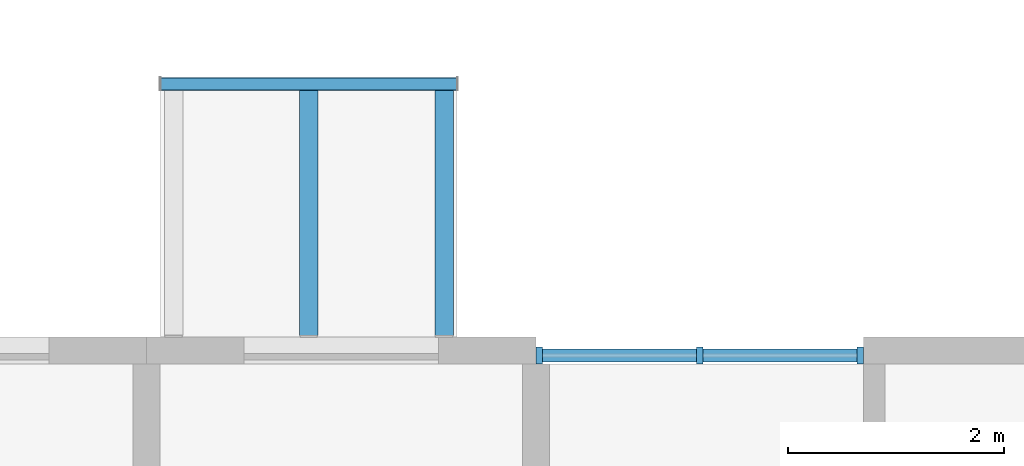
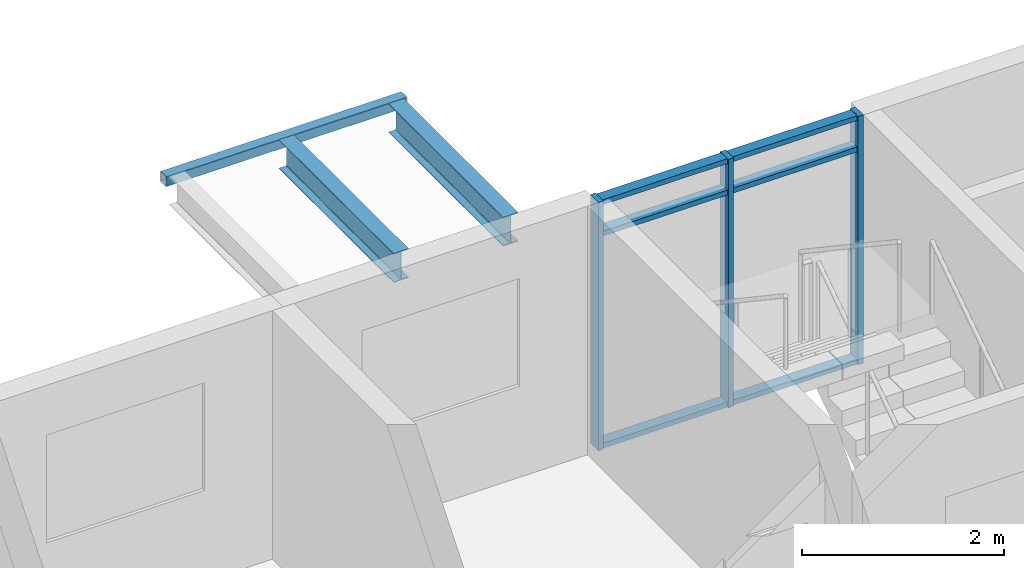
# One storey, part 16 of 100: 9 members, 3 beams, 1 element without a shape of its own.
"""IFC4 building model written with IfcOpenShell, lengths in metres."""

from ifc_helpers import new_model, si_unit, direction, frame, origin, origin_2d, place, context, subcontext, project, spatial, rectangle, hollow_rectangle, i_section, extrude, material, material_profile, profile_set, type_object, element, aggregate, save


model = new_model("IFC4")

# Units and contexts
model_context = context("Model", 3, precision=1e-05, world=origin(), true_north=direction((0.0, 1.0)))
body_context = subcontext(model_context, "Body", "Model", "MODEL_VIEW")
ifc_project = project(units=[si_unit("LENGTHUNIT", "METRE"), si_unit("AREAUNIT", "SQUARE_METRE"), si_unit("VOLUMEUNIT", "CUBIC_METRE"), si_unit("PLANEANGLEUNIT", "RADIAN"), si_unit("MASSUNIT", "GRAM", prefix="KILO")], contexts=[model_context])

# Site, building, storey
site_placement = place(None, origin())
site = spatial("IfcSite", under=ifc_project, at=site_placement, CompositionType="ELEMENT")
building_placement = place(site_placement, origin())
building = spatial("IfcBuilding", under=site, at=building_placement, Name="Ridgestep Commons", CompositionType="ELEMENT")
storey_placement = place(building_placement, frame((0.0, 0.0, 9.0)))
storey = spatial("IfcBuildingStorey", under=building, at=storey_placement, Name="L03", CompositionType="ELEMENT", Elevation=9.0)

# Curtain wall, members
ifc_material_1 = material(Name="Aluminium 6063-T6 and glass", Category="aluminium")
curtain_wall_type = type_object("IfcCurtainWallType", Name="Curtain wall stair strip", PredefinedType="NOTDEFINED", material=ifc_material_1)
curtain_wall_placement = place(storey_placement, origin())
curtain_wall = element("IfcCurtainWall", 1, at=curtain_wall_placement, inside=storey, type_object=curtain_wall_type, Name="Curtain wall D3C level 03", PredefinedType="NOTDEFINED")
ifc_material_2 = material(Name="Aluminium 6063-T6", Category="aluminium")
ifc_material_profile_1 = material_profile(ifc_material_2, rectangle(XDim=0.159912109375, YDim=0.06005859375, at=origin_2d()), Name="Mullion 60 x 160")
ifc_profile_set_1 = profile_set([ifc_material_profile_1], Name="Aluminium 6063-T6")
member_type_1 = type_object("IfcMemberType", Name="Mullion 60 x 160", PredefinedType="MULLION", material=ifc_profile_set_1)
member_1_placement = place(storey_placement, frame((191.22998046875, 22.830078125, 0.0), z_axis=(0.0, 0.0, 1.0), x_axis=(0.0, 1.0, 0.0)))
member_1 = element("IfcMember", 2, at=member_1_placement, type_object=member_type_1, Name="CW1 mullion 1", PredefinedType="MULLION", context=body_context, shape_type="SweptSolid", body=[
    extrude(rectangle(XDim=0.159912109375, YDim=0.06005859375, at=origin_2d()), origin(), (0.0, 0.0, 1.0), 3.0),
])
member_2_placement = place(storey_placement, frame((192.71240234375, 22.830078125, 0.0), z_axis=(0.0, 0.0, 1.0), x_axis=(0.0, 1.0, 0.0)))
member_2 = element("IfcMember", 3, at=member_2_placement, type_object=member_type_1, Name="CW1 mullion 2", PredefinedType="MULLION", context=body_context, shape_type="SweptSolid", body=[
    extrude(rectangle(XDim=0.159912109375, YDim=0.06005859375, at=origin_2d()), origin(), (0.0, 0.0, 1.0), 3.0),
])
member_3_placement = place(storey_placement, frame((194.195068359375, 22.830078125, 0.0), z_axis=(0.0, 0.0, 1.0), x_axis=(0.0, 1.0, 0.0)))
member_3 = element("IfcMember", 4, at=member_3_placement, type_object=member_type_1, Name="CW1 mullion 3", PredefinedType="MULLION", context=body_context, shape_type="SweptSolid", body=[
    extrude(rectangle(XDim=0.159912109375, YDim=0.06005859375, at=origin_2d()), origin(), (0.0, 0.0, 1.0), 3.0),
])
ifc_material_3 = material(Name="Aluminium 6063-T6", Category="aluminium")
ifc_material_profile_2 = material_profile(ifc_material_3, rectangle(XDim=0.1201171875, YDim=0.06005859375, at=origin_2d()), Name="Transom 60 x 120")
ifc_profile_set_2 = profile_set([ifc_material_profile_2], Name="Aluminium 6063-T6")
member_type_2 = type_object("IfcMemberType", Name="Transom 60 x 120", PredefinedType="USERDEFINED", material=ifc_profile_set_2)
member_4_placement = place(storey_placement, frame((191.260009765625, 22.830078125, 0.030029296875), z_axis=(1.0, 0.0, 0.0), x_axis=(0.0, 1.0, 0.0)))
member_4 = element("IfcMember", 5, at=member_4_placement, type_object=member_type_2, Name="CW1 transom 1.1", ObjectType="TRANSOM", PredefinedType="USERDEFINED", context=body_context, shape_type="SweptSolid", body=[
    extrude(rectangle(XDim=0.1201171875, YDim=0.06005859375, at=origin_2d()), origin(), (0.0, 0.0, 1.0), 1.422607421875),
])
member_5_placement = place(storey_placement, frame((191.260009765625, 22.830078125, 2.590087890625), z_axis=(1.0, 0.0, 0.0), x_axis=(0.0, 1.0, 0.0)))
member_5 = element("IfcMember", 6, at=member_5_placement, type_object=member_type_2, Name="CW1 transom 1.2", ObjectType="TRANSOM", PredefinedType="USERDEFINED", context=body_context, shape_type="SweptSolid", body=[
    extrude(rectangle(XDim=0.1201171875, YDim=0.06005859375, at=origin_2d()), origin(), (0.0, 0.0, 1.0), 1.422607421875),
])
member_6_placement = place(storey_placement, frame((191.260009765625, 22.830078125, 2.969970703125), z_axis=(1.0, 0.0, 0.0), x_axis=(0.0, 1.0, 0.0)))
member_6 = element("IfcMember", 7, at=member_6_placement, type_object=member_type_2, Name="CW1 transom 1.3", ObjectType="TRANSOM", PredefinedType="USERDEFINED", context=body_context, shape_type="SweptSolid", body=[
    extrude(rectangle(XDim=0.1201171875, YDim=0.06005859375, at=origin_2d()), origin(), (0.0, 0.0, 1.0), 1.422607421875),
])
member_7_placement = place(storey_placement, frame((192.742431640625, 22.830078125, 0.030029296875), z_axis=(1.0, 0.0, 0.0), x_axis=(0.0, 1.0, 0.0)))
member_7 = element("IfcMember", 8, at=member_7_placement, type_object=member_type_2, Name="CW1 transom 2.1", ObjectType="TRANSOM", PredefinedType="USERDEFINED", context=body_context, shape_type="SweptSolid", body=[
    extrude(rectangle(XDim=0.1201171875, YDim=0.06005859375, at=origin_2d()), origin(), (0.0, 0.0, 1.0), 1.422607421875),
])
member_8_placement = place(storey_placement, frame((192.742431640625, 22.830078125, 2.590087890625), z_axis=(1.0, 0.0, 0.0), x_axis=(0.0, 1.0, 0.0)))
member_8 = element("IfcMember", 9, at=member_8_placement, type_object=member_type_2, Name="CW1 transom 2.2", ObjectType="TRANSOM", PredefinedType="USERDEFINED", context=body_context, shape_type="SweptSolid", body=[
    extrude(rectangle(XDim=0.1201171875, YDim=0.06005859375, at=origin_2d()), origin(), (0.0, 0.0, 1.0), 1.422607421875),
])
member_9_placement = place(storey_placement, frame((192.742431640625, 22.830078125, 2.969970703125), z_axis=(1.0, 0.0, 0.0), x_axis=(0.0, 1.0, 0.0)))
member_9 = element("IfcMember", 10, at=member_9_placement, type_object=member_type_2, Name="CW1 transom 2.3", ObjectType="TRANSOM", PredefinedType="USERDEFINED", context=body_context, shape_type="SweptSolid", body=[
    extrude(rectangle(XDim=0.1201171875, YDim=0.06005859375, at=origin_2d()), origin(), (0.0, 0.0, 1.0), 1.422607421875),
])
aggregate(curtain_wall, [member_1, member_2, member_3, member_4, member_5, member_6, member_7, member_8, member_9])

# Beams
ifc_material_4 = material(Name="Weathering steel S355J2W", Category="steel")
ifc_material_profile_3 = material_profile(ifc_material_4, i_section(OverallWidth=0.171142578125, OverallDepth=0.351318359375, WebThickness=0.007080078125, FlangeThickness=0.009765625, FilletRadius=0.01025390625, at=origin_2d()), Name="UB 356x171x45")
ifc_profile_set_3 = profile_set([ifc_material_profile_3], Name="Weathering steel S355J2W")
beam_type_1 = type_object("IfcBeamType", Name="Tray arm UB 356x171x45", PredefinedType="BEAM", material=ifc_profile_set_3)
for number, where, z_axis, x_axis, name in (
    (11, (189.10009765625, 23.014892578125, 2.814208984375), (0.0, 1.0, 0.0), (-1.0, 0.0, 0.0), "Tray arm D3T3-04.2"),
    (12, (190.35009765625, 23.014892578125, 2.814208984375), (0.0, 1.0, 0.0), (-1.0, 0.0, 0.0), "Tray arm D3T3-04.3"),
):
    element("IfcBeam", number, at=place(storey_placement, frame(where, z_axis=z_axis, x_axis=x_axis)), inside=storey, type_object=beam_type_1, Name=name, PredefinedType="BEAM", context=body_context, shape_type="SweptSolid", body=[
        extrude(i_section(OverallWidth=0.171142578125, OverallDepth=0.351318359375, WebThickness=0.007080078125, FlangeThickness=0.009765625, FilletRadius=0.01025390625, at=origin_2d()), origin(), (0.0, 0.0, 1.0), 2.26513671875),
    ])
ifc_material_5 = material(Name="Weathering steel S355J2W", Category="steel")
ifc_material_profile_4 = material_profile(ifc_material_5, hollow_rectangle(XDim=0.1201171875, YDim=0.1201171875, WallThickness=0.00634765625, InnerFilletRadius=0.00634765625, OuterFilletRadius=0.009521484375, at=origin_2d()), Name="SHS 120x120x6.3")
ifc_profile_set_4 = profile_set([ifc_material_profile_4], Name="Weathering steel S355J2W")
beam_type_2 = type_object("IfcBeamType", Name="Tray edge member SHS 120x120x6.3", PredefinedType="BEAM", material=ifc_profile_set_4)
beam_placement = place(storey_placement, frame((187.72998046875, 25.340087890625, 2.929931640625), z_axis=(1.0, 0.0, 0.0), x_axis=(0.0, 0.0, 1.0)))
element("IfcBeam", 13, at=beam_placement, inside=storey, type_object=beam_type_2, Name="Tray edge member D3T3-04", PredefinedType="BEAM", context=body_context, shape_type="SweptSolid", body=[
    extrude(hollow_rectangle(XDim=0.1201171875, YDim=0.1201171875, WallThickness=0.00634765625, InnerFilletRadius=0.00634765625, OuterFilletRadius=0.009521484375, at=origin_2d()), origin(), (0.0, 0.0, 1.0), 2.739990234375),
])

save(model, "model.ifc")
